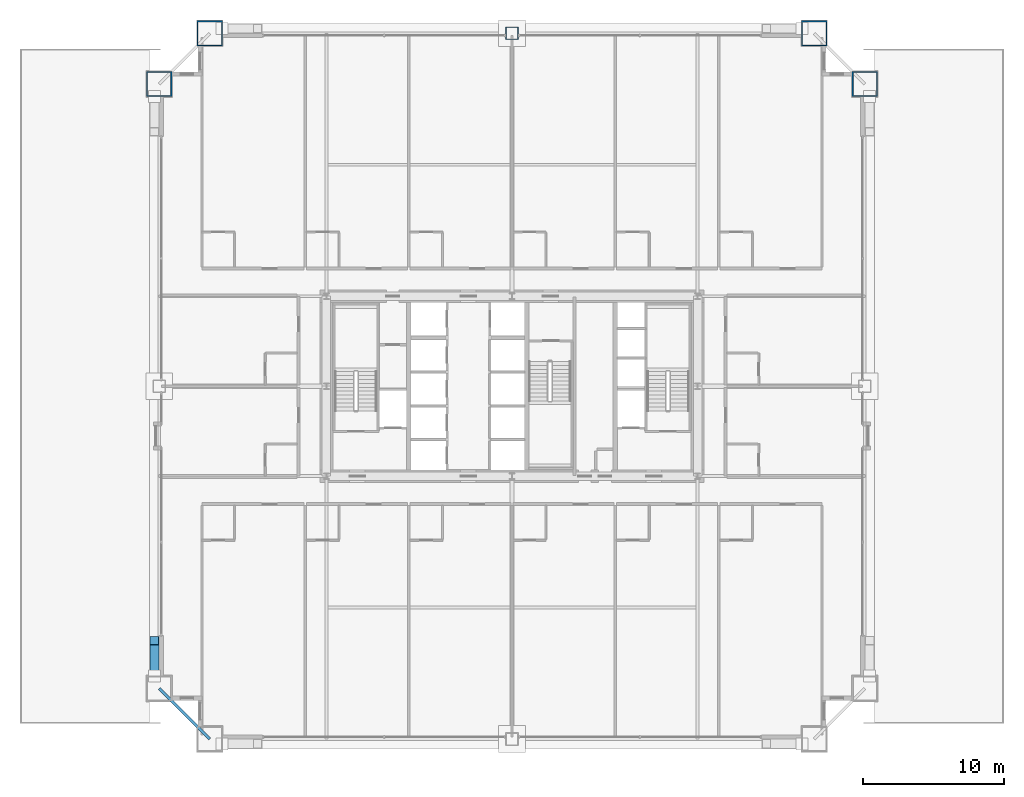
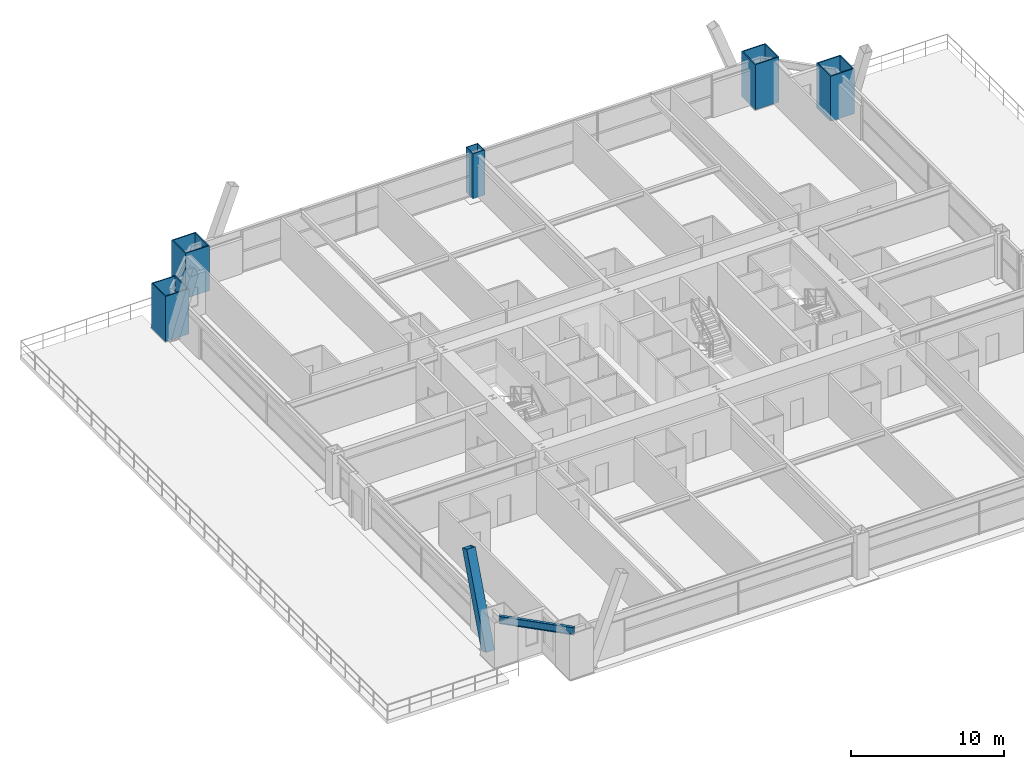
# One storey, part 2 of 45: 5 columns, 1 beam, 1 member.
"""IFC4 building model written with IfcOpenShell, lengths in metres."""

from ifc_helpers import new_model, si_unit, direction, frame, origin, origin_2d, place, context, subcontext, project, spatial, hollow_rectangle, i_section, extrude, source, transform, mapped, material, material_profile, profile_set, type_object, element, save


model = new_model("IFC4")

# Units and contexts
model_context = context("Model", 3, precision=1e-05, world=origin(), true_north=direction((0.0, 1.0)))
body_context = subcontext(model_context, "Body", "Model", "MODEL_VIEW")
ifc_project = project(units=[si_unit("LENGTHUNIT", "METRE"), si_unit("AREAUNIT", "SQUARE_METRE"), si_unit("VOLUMEUNIT", "CUBIC_METRE"), si_unit("PLANEANGLEUNIT", "RADIAN"), si_unit("MASSUNIT", "GRAM", prefix="KILO"), si_unit("THERMODYNAMICTEMPERATUREUNIT", "KELVIN"), si_unit("POWERUNIT", "WATT")], contexts=[model_context])

# Site, building, storey
site_placement = place(None, origin())
site = spatial("IfcSite", under=ifc_project, at=site_placement, CompositionType="ELEMENT")
building_placement = place(site_placement, origin())
building = spatial("IfcBuilding", under=site, at=building_placement, Name="Yuzanri Waterfront Tower", CompositionType="ELEMENT")
storey_placement = place(building_placement, frame((0.0, 0.0, 30.60009765625)))
storey = spatial("IfcBuildingStorey", under=building, at=storey_placement, Name="L07", CompositionType="ELEMENT", Elevation=30.60009765625)

# Columns
ifc_material_1 = material(Name="Steel Q420GJC", Category="steel")
ifc_material_profile_1 = material_profile(ifc_material_1, hollow_rectangle(XDim=1.800048828125, YDim=1.800048828125, WallThickness=0.080078125, at=origin_2d()), Name="RHS 1800x1800x80")
ifc_profile_set_1 = profile_set([ifc_material_profile_1], Name="Steel Q420GJC")
column_type_1 = type_object("IfcColumnType", Name="Mega Column Q420GJC RHS 1800x1800x80", PredefinedType="COLUMN", material=ifc_profile_set_1)
shared_shape_1 = source(origin(), body_context, "Body", "SweptSolid", [
    extrude(hollow_rectangle(XDim=1.800048828125, YDim=1.800048828125, WallThickness=0.080078125, at=origin_2d()), origin(), (0.0, 0.0, 1.0), 3.599853515625),
])
for number, where, z_axis, x_axis, name in (
    (1, (15.5, 50.89990234375, 0.0), (0.0, 0.0, 1.0), (1.0, 0.0, 0.0), "L07 Perimeter Mega Column N1"),
    (2, (58.5, 50.89990234375, 0.0), (0.0, 0.0, 1.0), (1.0, 0.0, 0.0), "L07 Perimeter Mega Column N3"),
    (3, (11.89990234375, 47.300048828125, 0.0), (0.0, 0.0, 1.0), (1.0, 0.0, 0.0), "L07 Perimeter Mega Column W3"),
    (4, (62.10009765625, 47.300048828125, 0.0), (0.0, 0.0, 1.0), (1.0, 0.0, 0.0), "L07 Perimeter Mega Column E3"),
):
    element("IfcColumn", number, at=place(storey_placement, frame(where, z_axis=z_axis, x_axis=x_axis)), inside=storey, type_object=column_type_1, Name=name, PredefinedType="COLUMN", context=body_context, shape_type="MappedRepresentation", body=[
        mapped(shared_shape_1, transform((0.0, 0.0, 0.0), scale=1.0)),
    ])
ifc_material_2 = material(Name="Steel Q390GJC", Category="steel")
ifc_material_profile_2 = material_profile(ifc_material_2, hollow_rectangle(XDim=0.89990234375, YDim=0.89990234375, WallThickness=0.0419921875, at=origin_2d()), Name="RHS 900x900x42")
ifc_profile_set_2 = profile_set([ifc_material_profile_2], Name="Steel Q390GJC")
column_type_2 = type_object("IfcColumnType", Name="Frame Column Q390GJC RHS 900x900x42", PredefinedType="COLUMN", material=ifc_profile_set_2)
shared_shape_2 = source(origin(), body_context, "Body", "SweptSolid", [
    extrude(hollow_rectangle(XDim=0.89990234375, YDim=0.89990234375, WallThickness=0.0419921875, at=origin_2d()), origin(), (0.0, 0.0, 1.0), 3.599853515625),
])
column_placement = place(storey_placement, frame((37.0, 50.89990234375, 0.0), z_axis=(0.0, 0.0, 1.0), x_axis=(1.0, 0.0, 0.0)))
element("IfcColumn", 5, at=column_placement, inside=storey, type_object=column_type_2, Name="L07 Perimeter Frame Column N2", PredefinedType="COLUMN", context=body_context, shape_type="MappedRepresentation", body=[
    mapped(shared_shape_2, transform((0.0, 0.0, 0.0), scale=1.0)),
])

# Beam
ifc_material_3 = material(Name="Steel Q355B", Category="steel")
ifc_material_profile_3 = material_profile(ifc_material_3, i_section(OverallWidth=0.199951171875, OverallDepth=0.60009765625, WebThickness=0.010986328125, FlangeThickness=0.01708984375, at=origin_2d()), Name="HN 600x200x11x17")
ifc_profile_set_3 = profile_set([ifc_material_profile_3], Name="Steel Q355B")
beam_type = type_object("IfcBeamType", Name="Perimeter Spandrel Q355B HN 600x200", PredefinedType="SPANDREL", material=ifc_profile_set_3)
shared_shape_3 = source(origin(), body_context, "Body", "SweptSolid", [
    extrude(i_section(OverallWidth=0.199951171875, OverallDepth=0.60009765625, WebThickness=0.010986328125, FlangeThickness=0.01708984375, at=origin_2d()), origin(), (0.0, 0.0, 1.0), 5.09130859375),
])
beam_placement = place(storey_placement, frame((11.89990234375, 4.300048828125, 3.079833984375), z_axis=(0.707106781187, -0.707106781187, 0.0), x_axis=(0.707106781187, 0.707106781187, 0.0)))
element("IfcBeam", 6, at=beam_placement, inside=storey, type_object=beam_type, Name="L07 Perimeter Spandrel W1-S1", PredefinedType="SPANDREL", context=body_context, shape_type="MappedRepresentation", body=[
    mapped(shared_shape_3, transform((0.0, 0.0, 0.0), scale=1.0)),
])

# Member
ifc_material_4 = material(Name="Steel Q420GJC", Category="steel")
ifc_material_profile_4 = material_profile(ifc_material_4, hollow_rectangle(XDim=0.64990234375, YDim=0.64990234375, WallThickness=0.028076171875, at=origin_2d()), Name="RHS 650x650x28")
ifc_profile_set_4 = profile_set([ifc_material_profile_4], Name="Steel Q420GJC")
member_type = type_object("IfcMemberType", Name="Mega Brace Lower Q420GJC RHS 650x650x28", PredefinedType="BRACE", material=ifc_profile_set_4)
shared_shape_4 = source(origin(), body_context, "Body", "SweptSolid", [
    extrude(hollow_rectangle(XDim=0.64990234375, YDim=0.64990234375, WallThickness=0.028076171875, at=origin_2d()), origin(), (0.0, 0.0, 1.0), 7.158203125),
])
member_placement = place(storey_placement, frame((11.56005859375, 5.179931640625, 0.179931640625), z_axis=(0.0, 0.352046480343, 0.935982518896), x_axis=(-1.0, 0.0, 0.0)))
element("IfcMember", 7, at=member_placement, inside=storey, type_object=member_type, Name="L07-L08 Perimeter Mega-Brace W-L", PredefinedType="BRACE", context=body_context, shape_type="MappedRepresentation", body=[
    mapped(shared_shape_4, transform((0.0, 0.0, 0.0), scale=1.0)),
])

save(model, "model.ifc")
